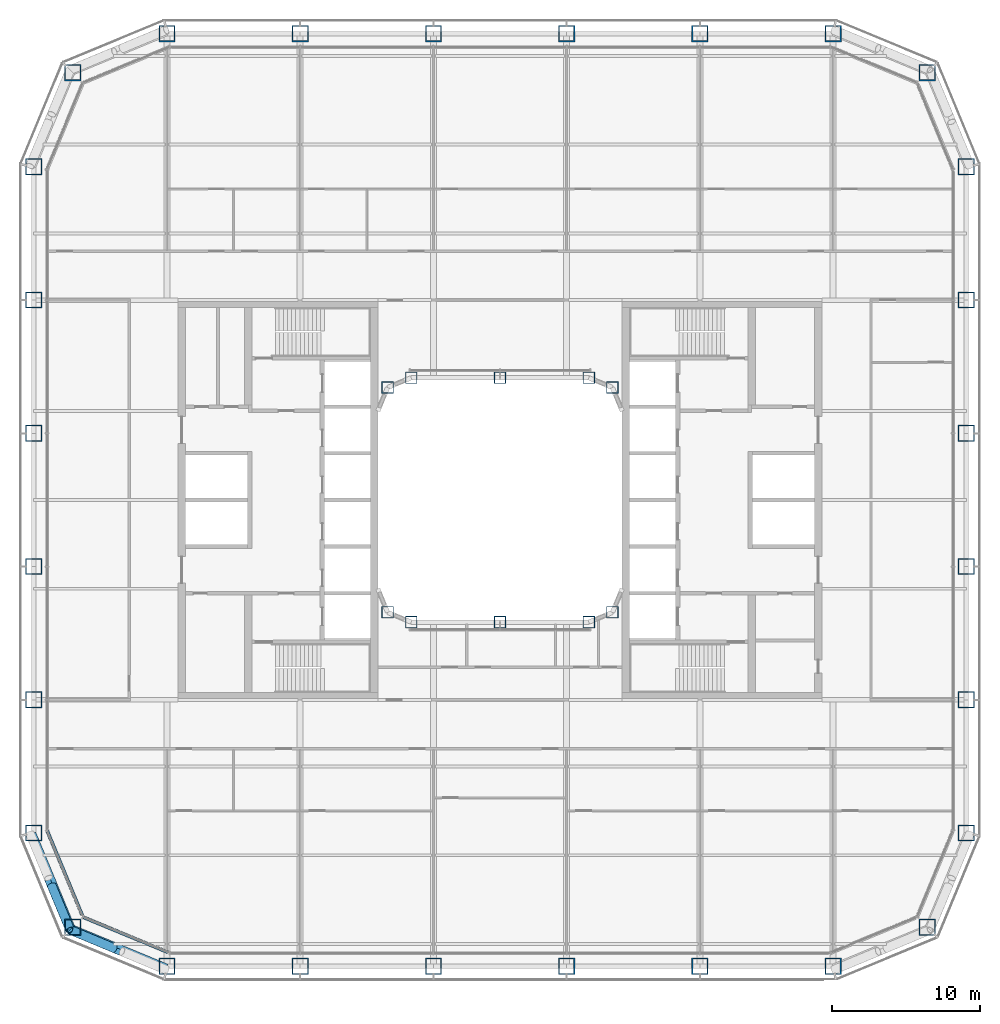
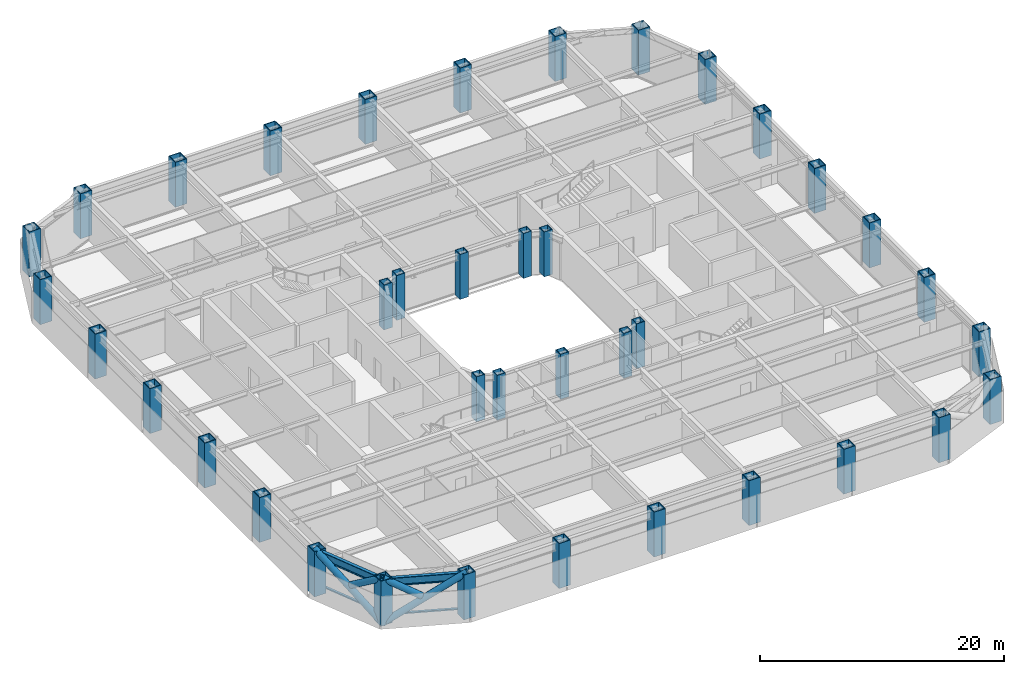
# One storey, part 1 of 24: 38 columns, 6 members, 2 beams, 2 elements without a shape of their own.
"""IFC4 building model written with IfcOpenShell, lengths in metres."""

from ifc_helpers import new_model, si_unit, direction, frame, origin, origin_2d, place, context, subcontext, project, spatial, rectangle, hollow_rectangle, hollow_circle, i_section, extrude, material, layer, layer_set, material_profile, profile_set, type_object, element, aggregate, save


model = new_model("IFC4")

# Units and contexts
model_context = context("Model", 3, precision=1e-05, world=origin(), true_north=direction((0.0, 1.0)))
body_context = subcontext(model_context, "Body", "Model", "MODEL_VIEW")
ifc_project = project(units=[si_unit("LENGTHUNIT", "METRE"), si_unit("AREAUNIT", "SQUARE_METRE"), si_unit("VOLUMEUNIT", "CUBIC_METRE"), si_unit("PLANEANGLEUNIT", "RADIAN"), si_unit("MASSUNIT", "GRAM", prefix="KILO")], contexts=[model_context])

# Site, building, storey
site_placement = place(None, origin())
site = spatial("IfcSite", under=ifc_project, at=site_placement, CompositionType="ELEMENT")
building_placement = place(site_placement, origin())
building = spatial("IfcBuilding", under=site, at=building_placement, Name="Siwar Civic Tower", CompositionType="ELEMENT")
storey_placement = place(building_placement, frame((0.0, 0.0, 40.199951171875)))
storey = spatial("IfcBuildingStorey", under=building, at=storey_placement, Name="L08", CompositionType="ELEMENT", Elevation=40.199951171875)

# Columns
ifc_material_1 = material(Name="Steel S460", Category="steel")
ifc_material_profile_1 = material_profile(ifc_material_1, hollow_rectangle(XDim=1.10009765625, YDim=1.10009765625, WallThickness=0.070068359375, at=origin_2d()), Name="BOX1100x1100x70")
ifc_profile_set_1 = profile_set([ifc_material_profile_1], Name="Steel S460")
column_type_1 = type_object("IfcColumnType", Name="STR-COL-BOX1100x1100x70", PredefinedType="COLUMN", material=ifc_profile_set_1)
for number, where, z_axis, x_axis, name in (
    (1, (-22.5, -31.5, 0.0), (0.0, 0.0, 1.0), (1.0, 0.0, 0.0), "L08/col/S-0"),
    (2, (-13.5, -31.5, 0.0), (0.0, 0.0, 1.0), (1.0, 0.0, 0.0), "L08/col/S-1"),
    (3, (-4.5, -31.5, 0.0), (0.0, 0.0, 1.0), (1.0, 0.0, 0.0), "L08/col/S-2"),
    (4, (4.5, -31.5, 0.0), (0.0, 0.0, 1.0), (1.0, 0.0, 0.0), "L08/col/S-3"),
    (5, (13.5, -31.5, 0.0), (0.0, 0.0, 1.0), (1.0, 0.0, 0.0), "L08/col/S-4"),
    (6, (22.5, -31.5, 0.0), (0.0, 0.0, 1.0), (1.0, 0.0, 0.0), "L08/col/SE1-0"),
    (7, (28.864013671875, -28.864013671875, 0.0), (0.0, 0.0, 1.0), (1.0, 0.0, 0.0), "L08/col/SE2-0"),
    (8, (31.5, -22.5, 0.0), (0.0, 0.0, 1.0), (1.0, 0.0, 0.0), "L08/col/E-0"),
    (9, (31.5, -13.5, 0.0), (0.0, 0.0, 1.0), (1.0, 0.0, 0.0), "L08/col/E-1"),
    (10, (31.5, -4.5, 0.0), (0.0, 0.0, 1.0), (1.0, 0.0, 0.0), "L08/col/E-2"),
    (11, (31.5, 4.5, 0.0), (0.0, 0.0, 1.0), (1.0, 0.0, 0.0), "L08/col/E-3"),
    (12, (31.5, 13.5, 0.0), (0.0, 0.0, 1.0), (1.0, 0.0, 0.0), "L08/col/E-4"),
    (13, (31.5, 22.5, 0.0), (0.0, 0.0, 1.0), (1.0, 0.0, 0.0), "L08/col/NE1-0"),
    (14, (28.864013671875, 28.864013671875, 0.0), (0.0, 0.0, 1.0), (1.0, 0.0, 0.0), "L08/col/NE2-0"),
    (15, (22.5, 31.5, 0.0), (0.0, 0.0, 1.0), (1.0, 0.0, 0.0), "L08/col/N-0"),
    (16, (13.5, 31.5, 0.0), (0.0, 0.0, 1.0), (1.0, 0.0, 0.0), "L08/col/N-1"),
    (17, (4.5, 31.5, 0.0), (0.0, 0.0, 1.0), (1.0, 0.0, 0.0), "L08/col/N-2"),
    (18, (-4.5, 31.5, 0.0), (0.0, 0.0, 1.0), (1.0, 0.0, 0.0), "L08/col/N-3"),
    (19, (-13.5, 31.5, 0.0), (0.0, 0.0, 1.0), (1.0, 0.0, 0.0), "L08/col/N-4"),
    (20, (-22.5, 31.5, 0.0), (0.0, 0.0, 1.0), (1.0, 0.0, 0.0), "L08/col/NW1-0"),
    (21, (-28.864013671875, 28.864013671875, 0.0), (0.0, 0.0, 1.0), (1.0, 0.0, 0.0), "L08/col/NW2-0"),
    (22, (-31.5, 22.5, 0.0), (0.0, 0.0, 1.0), (1.0, 0.0, 0.0), "L08/col/W-0"),
    (23, (-31.5, 13.5, 0.0), (0.0, 0.0, 1.0), (1.0, 0.0, 0.0), "L08/col/W-1"),
    (24, (-31.5, 4.5, 0.0), (0.0, 0.0, 1.0), (1.0, 0.0, 0.0), "L08/col/W-2"),
    (25, (-31.5, -4.5, 0.0), (0.0, 0.0, 1.0), (1.0, 0.0, 0.0), "L08/col/W-3"),
    (26, (-31.5, -13.5, 0.0), (0.0, 0.0, 1.0), (1.0, 0.0, 0.0), "L08/col/W-4"),
    (27, (-31.5, -22.5, 0.0), (0.0, 0.0, 1.0), (1.0, 0.0, 0.0), "L08/col/SW1-0"),
    (28, (-28.864013671875, -28.864013671875, 0.0), (0.0, 0.0, 1.0), (1.0, 0.0, 0.0), "L08/col/SW2-0"),
):
    element("IfcColumn", number, at=place(storey_placement, frame(where, z_axis=z_axis, x_axis=x_axis)), inside=storey, type_object=column_type_1, Name=name, PredefinedType="COLUMN", context=body_context, shape_type="SweptSolid", body=[
        extrude(hollow_rectangle(XDim=1.10009765625, YDim=1.10009765625, WallThickness=0.070068359375, at=origin_2d()), origin(), (0.0, 0.0, 1.0), 4.5),
    ])
ifc_material_2 = material(Name="Steel S355", Category="steel")
ifc_material_profile_2 = material_profile(ifc_material_2, hollow_rectangle(XDim=0.800048828125, YDim=0.800048828125, WallThickness=0.050048828125, at=origin_2d()), Name="BOX800x800x50")
ifc_profile_set_2 = profile_set([ifc_material_profile_2], Name="Steel S355")
column_type_2 = type_object("IfcColumnType", Name="STR-ICOL-BOX800x800x50", PredefinedType="COLUMN", material=ifc_profile_set_2)
for number, where, z_axis, x_axis, name in (
    (29, (-7.591064453125, -7.591064453125, 0.0), (0.0, 0.0, 1.0), (1.0, 0.0, 0.0), "L08/col/IS-0"),
    (30, (-6.0, -8.25, 0.0), (0.0, 0.0, 1.0), (1.0, 0.0, 0.0), "L08/col/IS-1"),
    (31, (0.0, -8.25, 0.0), (0.0, 0.0, 1.0), (1.0, 0.0, 0.0), "L08/col/IS-2"),
    (32, (6.0, -8.25, 0.0), (0.0, 0.0, 1.0), (1.0, 0.0, 0.0), "L08/col/IS-3"),
    (33, (7.591064453125, -7.591064453125, 0.0), (0.0, 0.0, 1.0), (1.0, 0.0, 0.0), "L08/col/IS-4"),
    (34, (-7.591064453125, 7.591064453125, 0.0), (0.0, 0.0, 1.0), (1.0, 0.0, 0.0), "L08/col/IN-0"),
    (35, (-6.0, 8.25, 0.0), (0.0, 0.0, 1.0), (1.0, 0.0, 0.0), "L08/col/IN-1"),
    (36, (0.0, 8.25, 0.0), (0.0, 0.0, 1.0), (1.0, 0.0, 0.0), "L08/col/IN-2"),
    (37, (6.0, 8.25, 0.0), (0.0, 0.0, 1.0), (1.0, 0.0, 0.0), "L08/col/IN-3"),
    (38, (7.591064453125, 7.591064453125, 0.0), (0.0, 0.0, 1.0), (1.0, 0.0, 0.0), "L08/col/IN-4"),
):
    element("IfcColumn", number, at=place(storey_placement, frame(where, z_axis=z_axis, x_axis=x_axis)), inside=storey, type_object=column_type_2, Name=name, PredefinedType="COLUMN", context=body_context, shape_type="SweptSolid", body=[
        extrude(hollow_rectangle(XDim=0.800048828125, YDim=0.800048828125, WallThickness=0.050048828125, at=origin_2d()), origin(), (0.0, 0.0, 1.0), 4.5),
    ])

# Curtain wall, member
ifc_material_3 = material(Name="Aluminium clad insulated panel", Category="aluminium")
ifc_layer = layer(ifc_material_3, 0.219970703125)
ifc_layer_set = layer_set([ifc_layer], Name="Aluminium clad insulated panel")
curtain_wall_type = type_object("IfcCurtainWallType", Name="ENV-CW-AX", PredefinedType="NOTDEFINED", material=ifc_layer_set)
curtain_wall_1_placement = place(storey_placement, origin())
curtain_wall_1 = element("IfcCurtainWall", 39, at=curtain_wall_1_placement, inside=storey, type_object=curtain_wall_type, Name="Curtain wall A SW1", PredefinedType="NOTDEFINED")
ifc_material_4 = material(Name="Aluminium 6063-T6", Category="aluminium")
ifc_material_profile_3 = material_profile(ifc_material_4, rectangle(XDim=0.219970703125, YDim=0.1201171875, at=origin_2d()), Name="AL 220x120")
ifc_profile_set_3 = profile_set([ifc_material_profile_3], Name="Aluminium 6063-T6")
member_type_1 = type_object("IfcMemberType", Name="ENV-TRANSOM-A", PredefinedType="USERDEFINED", material=ifc_profile_set_3)
member_1_placement = place(storey_placement, frame((-30.586669921875, -22.353271484375, 0.06005859375), z_axis=(0.382698415042, -0.923873326341, 0.0), x_axis=(0.923873326341, 0.382698415042, 0.0)))
member_1 = element("IfcMember", 40, at=member_1_placement, type_object=member_type_1, Name="Transom A SW1 1", ObjectType="TRANSOM", PredefinedType="USERDEFINED", context=body_context, shape_type="SweptSolid", body=[
    extrude(rectangle(XDim=0.219970703125, YDim=0.1201171875, at=origin_2d()), origin(), (0.0, 0.0, 1.0), 6.17919921875),
])
aggregate(curtain_wall_1, [member_1])

curtain_wall_2_placement = place(storey_placement, origin())
curtain_wall_2 = element("IfcCurtainWall", 41, at=curtain_wall_2_placement, inside=storey, type_object=curtain_wall_type, Name="Curtain wall A SW2", PredefinedType="NOTDEFINED")
member_2_placement = place(storey_placement, frame((-28.142822265625, -28.1884765625, 0.06005859375), z_axis=(0.923873326341, -0.382698415042, 0.0), x_axis=(0.382698415042, 0.923873326341, 0.0)))
member_2 = element("IfcMember", 42, at=member_2_placement, type_object=member_type_1, Name="Transom A SW2 1", ObjectType="TRANSOM", PredefinedType="USERDEFINED", context=body_context, shape_type="SweptSolid", body=[
    extrude(rectangle(XDim=0.219970703125, YDim=0.1201171875, at=origin_2d()), origin(), (0.0, 0.0, 1.0), 6.17919921875),
])
aggregate(curtain_wall_2, [member_2])

# Members
ifc_material_5 = material(Name="Steel S355", Category="steel")
ifc_material_profile_4 = material_profile(ifc_material_5, hollow_circle(Radius=0.304931640625, WallThickness=0.030029296875, at=origin_2d()), Name="CHS610x30")
ifc_profile_set_4 = profile_set([ifc_material_profile_4], Name="Steel S355")
member_type_2 = type_object("IfcMemberType", Name="STR-BR-CHS610x30", PredefinedType="BRACE", material=ifc_profile_set_4)
member_3_placement = place(storey_placement, frame((-29.040771484375, -29.040771484375, 0.0), z_axis=(0.777554562952, -0.323905527954, 0.538975055633), x_axis=(0.384538969033, 0.923108759191, 0.0)))
element("IfcMember", 43, at=member_3_placement, inside=storey, type_object=member_type_2, Name="L08/brc/ASW1-7-0-1", PredefinedType="BRACE", context=body_context, shape_type="SweptSolid", body=[
    extrude(hollow_circle(Radius=0.304931640625, WallThickness=0.030029296875, at=origin_2d()), origin(), (0.0, 0.0, 1.0), 8.34912109375),
])
member_4_placement = place(storey_placement, frame((-26.052001953125, -30.285888671875, 2.428466796875), z_axis=(-0.777568797048, 0.323934068367, 0.538937366685), x_axis=(-0.384561842466, -0.923099230484, 0.0)))
element("IfcMember", 44, at=member_4_placement, inside=storey, type_object=member_type_2, Name="L08/brc/ASW1-7-0-3", PredefinedType="BRACE", context=body_context, shape_type="SweptSolid", body=[
    extrude(hollow_circle(Radius=0.304931640625, WallThickness=0.030029296875, at=origin_2d()), origin(), (0.0, 0.0, 1.0), 3.84375),
])
member_5_placement = place(storey_placement, frame((-29.040771484375, -29.040771484375, 0.0), z_axis=(-0.323905527954, 0.777554562952, 0.538975055633), x_axis=(-0.923108759191, -0.384538969033, 0.0)))
element("IfcMember", 45, at=member_5_placement, inside=storey, type_object=member_type_2, Name="L08/brc/ASW1-7-0-0", PredefinedType="BRACE", context=body_context, shape_type="SweptSolid", body=[
    extrude(hollow_circle(Radius=0.304931640625, WallThickness=0.030029296875, at=origin_2d()), origin(), (0.0, 0.0, 1.0), 8.34912109375),
])
member_6_placement = place(storey_placement, frame((-30.285888671875, -26.052001953125, 2.428466796875), z_axis=(0.323934068367, -0.777568797048, 0.538937366685), x_axis=(0.923099230484, 0.384561842466, 0.0)))
element("IfcMember", 46, at=member_6_placement, inside=storey, type_object=member_type_2, Name="L08/brc/ASW1-7-0-5", PredefinedType="BRACE", context=body_context, shape_type="SweptSolid", body=[
    extrude(hollow_circle(Radius=0.304931640625, WallThickness=0.030029296875, at=origin_2d()), origin(), (0.0, 0.0, 1.0), 3.84375),
])

# Beams
ifc_material_6 = material(Name="Steel S355", Category="steel")
ifc_material_profile_5 = material_profile(ifc_material_6, i_section(OverallWidth=0.302978515625, OverallDepth=0.81396484375, WebThickness=0.02099609375, FlangeThickness=0.0400390625, FilletRadius=0.030029296875, at=origin_2d()), Name="HEM800")
ifc_profile_set_5 = profile_set([ifc_material_profile_5], Name="Steel S355")
beam_type = type_object("IfcBeamType", Name="STR-SB-HEM800", PredefinedType="BEAM", material=ifc_profile_set_5)
for number, where, z_axis, x_axis, name in (
    (47, (-31.5, -22.5, 3.943115234375), (0.382674207535, -0.923883353507, 0.0), (0.923883353507, 0.382674207535, 0.0), "L08/bm/SSW1-0"),
    (48, (-28.864013671875, -28.864013671875, 3.943115234375), (0.923883353507, -0.382674207535, 0.0), (0.382674207535, 0.923883353507, 0.0), "L08/bm/SSW2-0"),
):
    element("IfcBeam", number, at=place(storey_placement, frame(where, z_axis=z_axis, x_axis=x_axis)), inside=storey, type_object=beam_type, Name=name, PredefinedType="BEAM", context=body_context, shape_type="SweptSolid", body=[
        extrude(i_section(OverallWidth=0.302978515625, OverallDepth=0.81396484375, WebThickness=0.02099609375, FlangeThickness=0.0400390625, FilletRadius=0.030029296875, at=origin_2d()), origin(), (0.0, 0.0, 1.0), 6.888427734375),
    ])

save(model, "model.ifc")
